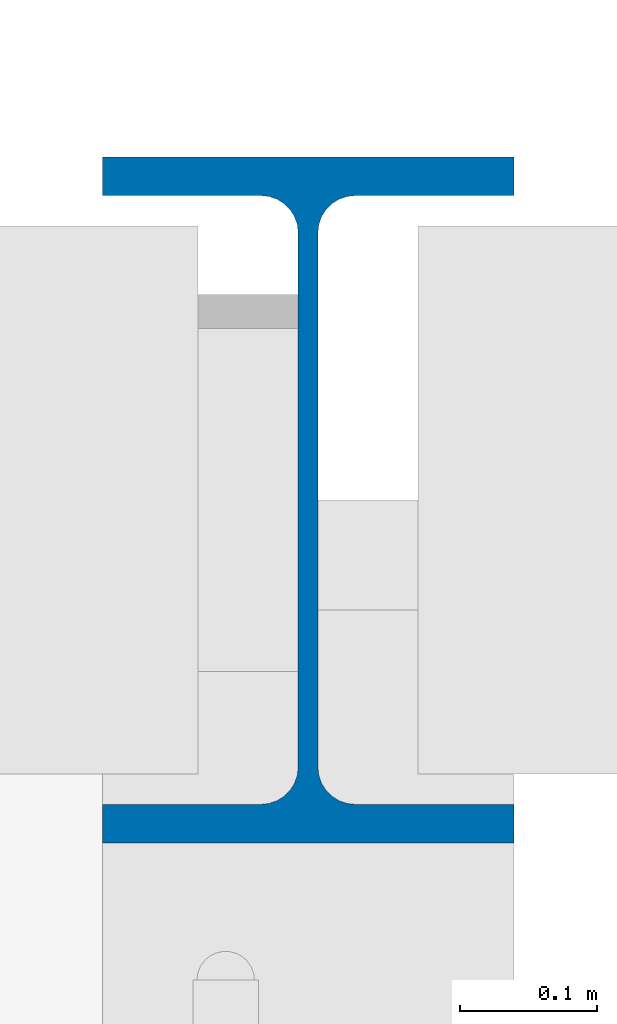
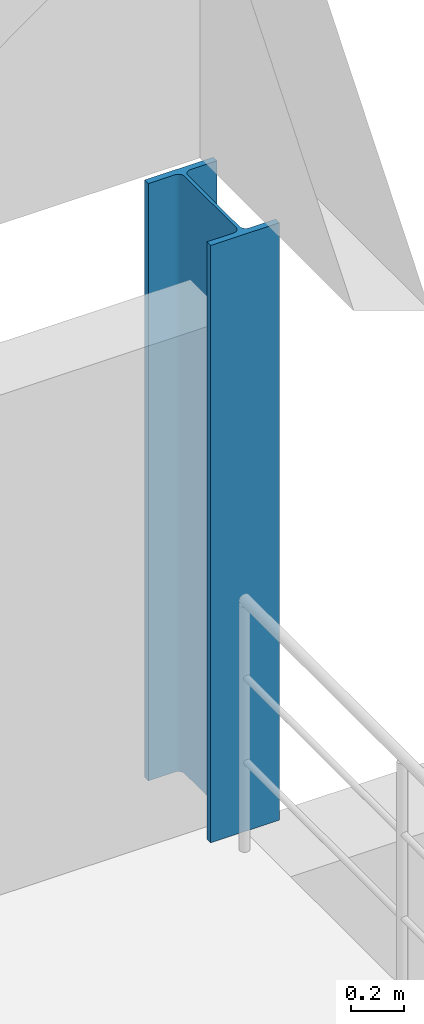
# One storey, part 22 of 89: 1 column.
"""IFC4 building model written with IfcOpenShell, lengths in metres."""

from ifc_helpers import new_model, si_unit, direction, frame, origin, origin_2d, place, context, subcontext, project, spatial, i_section, extrude, material, material_profile, profile_set, type_object, element, save


model = new_model("IFC4")

# Units and contexts
model_context = context("Model", 3, precision=1e-05, world=origin(), true_north=direction((0.0, 1.0)))
body_context = subcontext(model_context, "Body", "Model", "MODEL_VIEW")
ifc_project = project(units=[si_unit("LENGTHUNIT", "METRE"), si_unit("AREAUNIT", "SQUARE_METRE"), si_unit("VOLUMEUNIT", "CUBIC_METRE"), si_unit("PLANEANGLEUNIT", "RADIAN"), si_unit("MASSUNIT", "GRAM", prefix="KILO"), si_unit("THERMODYNAMICTEMPERATUREUNIT", "KELVIN"), si_unit("POWERUNIT", "WATT")], contexts=[model_context])

# Site, building, storey
site_placement = place(None, origin())
site = spatial("IfcSite", under=ifc_project, at=site_placement, CompositionType="ELEMENT")
building_placement = place(site_placement, origin())
building = spatial("IfcBuilding", under=site, at=building_placement, Name="Solmara Park Aquatics Centre", CompositionType="ELEMENT")
storey_placement = place(building_placement, frame((0.0, 0.0, 5.39990234375)))
storey = spatial("IfcBuildingStorey", under=building, at=storey_placement, Name="L01", CompositionType="ELEMENT", Elevation=5.39990234375)

# Column
ifc_material = material(Name="Structural Steel S355", Category="steel")
ifc_material_profile = material_profile(ifc_material, i_section(OverallWidth=0.300048828125, OverallDepth=0.5, WebThickness=0.014404296875, FlangeThickness=0.028076171875, FilletRadius=0.027099609375, at=origin_2d()), Name="HEB 500")
ifc_profile_set = profile_set([ifc_material_profile], Name="Structural Steel S355")
column_type = type_object("IfcColumnType", Name="STR-COL-HEB500", PredefinedType="COLUMN", material=ifc_profile_set)
column_placement = place(storey_placement, frame((192.0, 76.60009765625, 0.0), z_axis=(0.0, 0.0, 1.0), x_axis=(1.0, 0.0, 0.0)))
element("IfcColumn", 1, at=column_placement, inside=storey, type_object=column_type, Name="Column L01-0460", PredefinedType="COLUMN", context=body_context, shape_type="SweptSolid", body=[
    extrude(i_section(OverallWidth=0.300048828125, OverallDepth=0.5, WebThickness=0.014404296875, FlangeThickness=0.028076171875, FilletRadius=0.027099609375, at=origin_2d()), origin(), (0.0, 0.0, 1.0), 2.760009765625),
])

save(model, "model.ifc")
